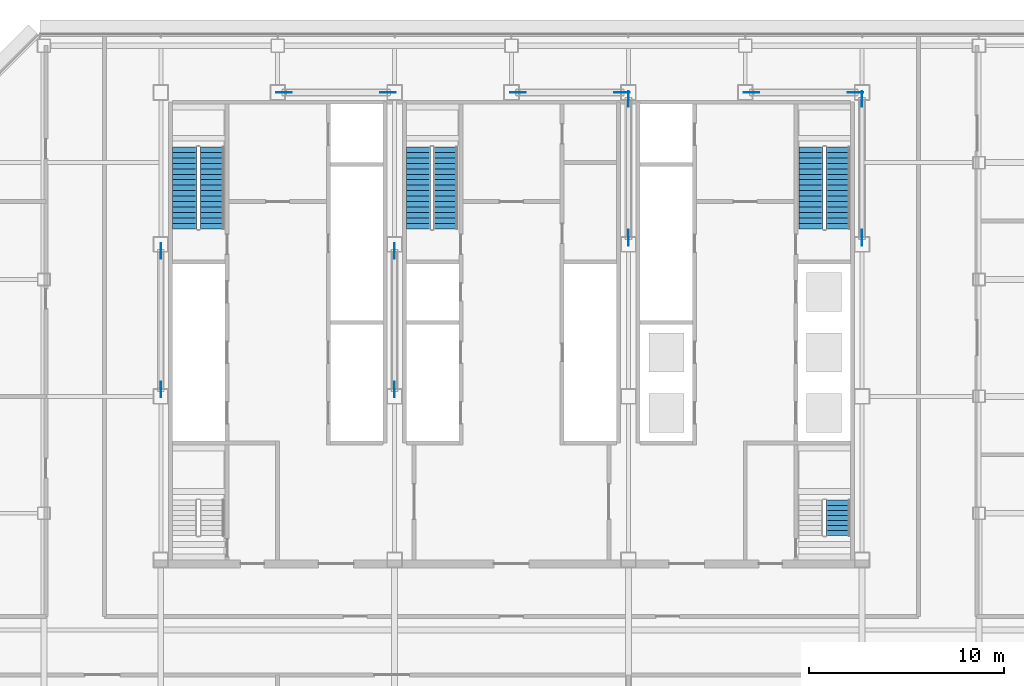
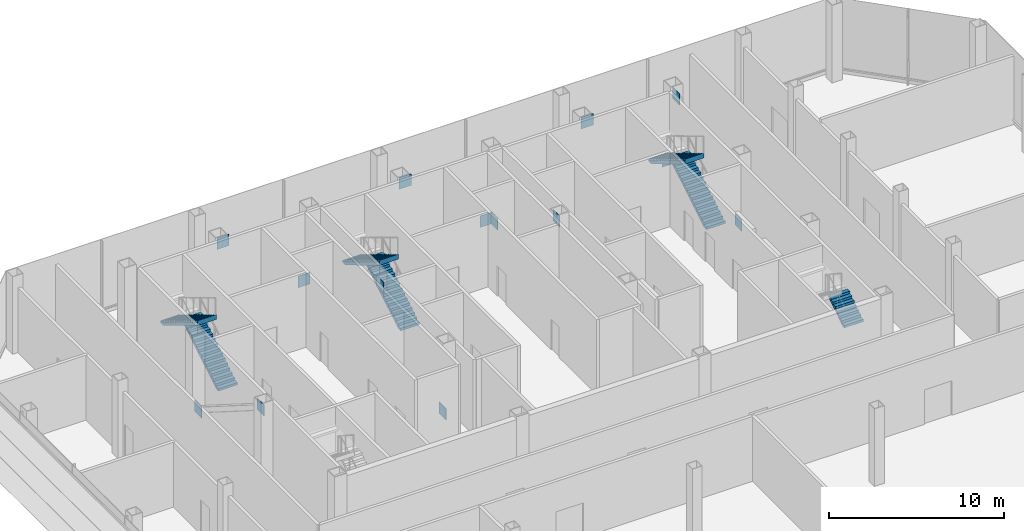
# One storey, part 20 of 24: 14 discrete accessories, 7 stair flights, 4 elements without a shape of their own.
"""IFC4 building model written with IfcOpenShell, lengths in metres."""

from ifc_helpers import new_model, si_unit, direction, frame, origin, origin_2d, place, context, subcontext, project, spatial, polyline, rectangle, outline, extrude, material, layer, layer_set, type_object, element, aggregate, save


model = new_model("IFC4")

# Units and contexts
model_context = context("Model", 3, precision=1e-05, world=origin(), true_north=direction((0.0, 1.0)))
body_context = subcontext(model_context, "Body", "Model", "MODEL_VIEW")
ifc_project = project(units=[si_unit("LENGTHUNIT", "METRE"), si_unit("AREAUNIT", "SQUARE_METRE"), si_unit("VOLUMEUNIT", "CUBIC_METRE"), si_unit("PLANEANGLEUNIT", "RADIAN"), si_unit("MASSUNIT", "GRAM", prefix="KILO")], contexts=[model_context])

# Site, building, storey
site_placement = place(None, origin())
site = spatial("IfcSite", under=ifc_project, at=site_placement, CompositionType="ELEMENT")
building_placement = place(site_placement, origin())
building = spatial("IfcBuilding", under=site, at=building_placement, Name="Sorahane Residences", CompositionType="ELEMENT")
storey_placement = place(building_placement, frame((0.0, 0.0, 161.800048828125)))
storey = spatial("IfcBuildingStorey", under=building, at=storey_placement, Name="L37", CompositionType="ELEMENT", Elevation=161.800048828125)

# Stair, stair flights
ifc_material_1 = material(Name="Concrete C40", Category="concrete")
stair_type = type_object("IfcStairType", Name="Dog-leg stair 1250 Concrete C40", PredefinedType="HALF_TURN_STAIR", material=ifc_material_1)
stair_1_placement = place(storey_placement, origin())
stair_1 = element("IfcStair", 1, at=stair_1_placement, inside=storey, type_object=stair_type, Name="L37 Stair S1", PredefinedType="HALF_TURN_STAIR")
ifc_material_2 = material(Name="Concrete C40", Category="concrete")
stair_flight_type = type_object("IfcStairFlightType", Name="Stair flight 1250 Concrete C40", PredefinedType="STRAIGHT", material=ifc_material_2)
stair_flight_1_placement = place(storey_placement, frame((8.625, 38.60009765625, 0.0), z_axis=(0.0, 0.0, 1.0), x_axis=(0.0, 1.0, 0.0)))
stair_flight_1 = element("IfcStairFlight", 2, at=stair_flight_1_placement, type_object=stair_flight_type, Name="S1 flight 1", NumberOfRisers=16, NumberOfTreads=15, PredefinedType="STRAIGHT", RiserHeight=0.16875, TreadLength=0.28, context=body_context, shape_type="SweptSolid", body=[
    extrude(outline(polyline([(-0.00146484375, 0.0), (-0.00146484375, 0.168701171875), (0.0, 0.168701171875), (0.280029296875, 0.168701171875), (0.280029296875, 0.33740234375), (0.56005859375, 0.33740234375), (0.56005859375, 0.50634765625), (0.840087890625, 0.50634765625), (0.840087890625, 0.675048828125), (1.1201171875, 0.675048828125), (1.1201171875, 0.84375), (1.39990234375, 0.84375), (1.39990234375, 1.012451171875), (1.679931640625, 1.012451171875), (1.679931640625, 1.18115234375), (1.9599609375, 1.18115234375), (1.9599609375, 1.35009765625), (2.239990234375, 1.35009765625), (2.239990234375, 1.518798828125), (2.52001953125, 1.518798828125), (2.52001953125, 1.6875), (2.800048828125, 1.6875), (2.800048828125, 1.856201171875), (3.080078125, 1.856201171875), (3.080078125, 2.02490234375), (3.360107421875, 2.02490234375), (3.360107421875, 2.19384765625), (3.639892578125, 2.19384765625), (3.639892578125, 2.362548828125), (3.919921875, 2.362548828125), (3.919921875, 2.53125), (4.199951171875, 2.53125), (4.199951171875, 2.699951171875), (4.199951171875, 2.356201171875), (3.969970703125, 2.217529296875), (3.739990234375, 2.0791015625), (3.510009765625, 1.9404296875), (3.280029296875, 1.8017578125), (3.050048828125, 1.663330078125), (2.820068359375, 1.524658203125), (2.590087890625, 1.385986328125), (2.360107421875, 1.247314453125), (2.130126953125, 1.10888671875), (1.900146484375, 0.97021484375), (1.670166015625, 0.83154296875), (1.440185546875, 0.693115234375), (1.210205078125, 0.554443359375), (0.980224609375, 0.415771484375), (0.750244140625, 0.277099609375), (0.520263671875, 0.138671875), (0.29052734375, 0.0), (-0.00146484375, 0.0)])), frame((0.0, 0.625, 0.0), z_axis=(0.0, -1.0, 0.0), x_axis=(1.0, 0.0, 0.0)), (0.0, 0.0, 1.0), 1.25),
])
stair_flight_2_placement = place(storey_placement, frame((7.22509765625, 42.800048828125, 2.699951171875), z_axis=(0.0, 0.0, 1.0), x_axis=(0.0, -1.0, 0.0)))
stair_flight_2 = element("IfcStairFlight", 3, at=stair_flight_2_placement, type_object=stair_flight_type, Name="S1 flight 2", NumberOfRisers=16, NumberOfTreads=15, PredefinedType="STRAIGHT", RiserHeight=0.16875, TreadLength=0.28, context=body_context, shape_type="SweptSolid", body=[
    extrude(outline(polyline([(0.0, 0.0), (0.0, 0.168701171875), (0.280029296875, 0.168701171875), (0.280029296875, 0.33740234375), (0.56005859375, 0.33740234375), (0.56005859375, 0.50634765625), (0.840087890625, 0.50634765625), (0.840087890625, 0.675048828125), (1.1201171875, 0.675048828125), (1.1201171875, 0.84375), (1.39990234375, 0.84375), (1.39990234375, 1.012451171875), (1.679931640625, 1.012451171875), (1.679931640625, 1.18115234375), (1.9599609375, 1.18115234375), (1.9599609375, 1.35009765625), (2.239990234375, 1.35009765625), (2.239990234375, 1.518798828125), (2.52001953125, 1.518798828125), (2.52001953125, 1.6875), (2.800048828125, 1.6875), (2.800048828125, 1.856201171875), (3.080078125, 1.856201171875), (3.080078125, 2.02490234375), (3.360107421875, 2.02490234375), (3.360107421875, 2.19384765625), (3.639892578125, 2.19384765625), (3.639892578125, 2.362548828125), (3.919921875, 2.362548828125), (3.919921875, 2.53125), (4.199951171875, 2.53125), (4.199951171875, 2.699951171875), (4.201416015625, 2.699951171875), (4.201416015625, 2.356201171875), (3.971435546875, 2.217529296875), (3.741455078125, 2.0791015625), (3.51123046875, 1.9404296875), (3.28125, 1.8017578125), (3.05126953125, 1.663330078125), (2.821044921875, 1.524658203125), (2.591064453125, 1.385986328125), (2.361083984375, 1.247314453125), (2.130859375, 1.10888671875), (1.90087890625, 0.97021484375), (1.6708984375, 0.83154296875), (1.440673828125, 0.693115234375), (1.210693359375, 0.554443359375), (0.980712890625, 0.415771484375), (0.75048828125, 0.277099609375), (0.5205078125, 0.138671875), (0.29052734375, 0.0), (0.0, 0.0)])), frame((0.0, 0.625, 0.0), z_axis=(0.0, -1.0, 0.0), x_axis=(1.0, 0.0, 0.0)), (0.0, 0.0, 1.0), 1.25),
])
aggregate(stair_1, [stair_flight_1, stair_flight_2])

stair_2_placement = place(storey_placement, origin())
stair_2 = element("IfcStair", 4, at=stair_2_placement, inside=storey, type_object=stair_type, Name="L37 Stair S2", PredefinedType="HALF_TURN_STAIR")
stair_flight_3_placement = place(storey_placement, frame((40.77490234375, 38.60009765625, 0.0), z_axis=(0.0, 0.0, 1.0), x_axis=(0.0, 1.0, 0.0)))
stair_flight_3 = element("IfcStairFlight", 5, at=stair_flight_3_placement, type_object=stair_flight_type, Name="S2 flight 1", NumberOfRisers=16, NumberOfTreads=15, PredefinedType="STRAIGHT", RiserHeight=0.16875, TreadLength=0.28, context=body_context, shape_type="SweptSolid", body=[
    extrude(outline(polyline([(-0.00146484375, 0.0), (-0.00146484375, 0.168701171875), (0.0, 0.168701171875), (0.280029296875, 0.168701171875), (0.280029296875, 0.33740234375), (0.56005859375, 0.33740234375), (0.56005859375, 0.50634765625), (0.840087890625, 0.50634765625), (0.840087890625, 0.675048828125), (1.1201171875, 0.675048828125), (1.1201171875, 0.84375), (1.39990234375, 0.84375), (1.39990234375, 1.012451171875), (1.679931640625, 1.012451171875), (1.679931640625, 1.18115234375), (1.9599609375, 1.18115234375), (1.9599609375, 1.35009765625), (2.239990234375, 1.35009765625), (2.239990234375, 1.518798828125), (2.52001953125, 1.518798828125), (2.52001953125, 1.6875), (2.800048828125, 1.6875), (2.800048828125, 1.856201171875), (3.080078125, 1.856201171875), (3.080078125, 2.02490234375), (3.360107421875, 2.02490234375), (3.360107421875, 2.19384765625), (3.639892578125, 2.19384765625), (3.639892578125, 2.362548828125), (3.919921875, 2.362548828125), (3.919921875, 2.53125), (4.199951171875, 2.53125), (4.199951171875, 2.699951171875), (4.199951171875, 2.356201171875), (3.969970703125, 2.217529296875), (3.739990234375, 2.0791015625), (3.510009765625, 1.9404296875), (3.280029296875, 1.8017578125), (3.050048828125, 1.663330078125), (2.820068359375, 1.524658203125), (2.590087890625, 1.385986328125), (2.360107421875, 1.247314453125), (2.130126953125, 1.10888671875), (1.900146484375, 0.97021484375), (1.670166015625, 0.83154296875), (1.440185546875, 0.693115234375), (1.210205078125, 0.554443359375), (0.980224609375, 0.415771484375), (0.750244140625, 0.277099609375), (0.520263671875, 0.138671875), (0.29052734375, 0.0), (-0.00146484375, 0.0)])), frame((0.0, 0.625, 0.0), z_axis=(0.0, -1.0, 0.0), x_axis=(1.0, 0.0, 0.0)), (0.0, 0.0, 1.0), 1.25),
])
stair_flight_4_placement = place(storey_placement, frame((39.375, 42.800048828125, 2.699951171875), z_axis=(0.0, 0.0, 1.0), x_axis=(0.0, -1.0, 0.0)))
stair_flight_4 = element("IfcStairFlight", 6, at=stair_flight_4_placement, type_object=stair_flight_type, Name="S2 flight 2", NumberOfRisers=16, NumberOfTreads=15, PredefinedType="STRAIGHT", RiserHeight=0.16875, TreadLength=0.28, context=body_context, shape_type="SweptSolid", body=[
    extrude(outline(polyline([(0.0, 0.0), (0.0, 0.168701171875), (0.280029296875, 0.168701171875), (0.280029296875, 0.33740234375), (0.56005859375, 0.33740234375), (0.56005859375, 0.50634765625), (0.840087890625, 0.50634765625), (0.840087890625, 0.675048828125), (1.1201171875, 0.675048828125), (1.1201171875, 0.84375), (1.39990234375, 0.84375), (1.39990234375, 1.012451171875), (1.679931640625, 1.012451171875), (1.679931640625, 1.18115234375), (1.9599609375, 1.18115234375), (1.9599609375, 1.35009765625), (2.239990234375, 1.35009765625), (2.239990234375, 1.518798828125), (2.52001953125, 1.518798828125), (2.52001953125, 1.6875), (2.800048828125, 1.6875), (2.800048828125, 1.856201171875), (3.080078125, 1.856201171875), (3.080078125, 2.02490234375), (3.360107421875, 2.02490234375), (3.360107421875, 2.19384765625), (3.639892578125, 2.19384765625), (3.639892578125, 2.362548828125), (3.919921875, 2.362548828125), (3.919921875, 2.53125), (4.199951171875, 2.53125), (4.199951171875, 2.699951171875), (4.201416015625, 2.699951171875), (4.201416015625, 2.356201171875), (3.971435546875, 2.217529296875), (3.741455078125, 2.0791015625), (3.51123046875, 1.9404296875), (3.28125, 1.8017578125), (3.05126953125, 1.663330078125), (2.821044921875, 1.524658203125), (2.591064453125, 1.385986328125), (2.361083984375, 1.247314453125), (2.130859375, 1.10888671875), (1.90087890625, 0.97021484375), (1.6708984375, 0.83154296875), (1.440673828125, 0.693115234375), (1.210693359375, 0.554443359375), (0.980712890625, 0.415771484375), (0.75048828125, 0.277099609375), (0.5205078125, 0.138671875), (0.29052734375, 0.0), (0.0, 0.0)])), frame((0.0, 0.625, 0.0), z_axis=(0.0, -1.0, 0.0), x_axis=(1.0, 0.0, 0.0)), (0.0, 0.0, 1.0), 1.25),
])
aggregate(stair_2, [stair_flight_3, stair_flight_4])

stair_3_placement = place(storey_placement, origin())
stair_3 = element("IfcStair", 7, at=stair_3_placement, inside=storey, type_object=stair_type, Name="L37 Stair S3", PredefinedType="HALF_TURN_STAIR")
stair_flight_5_placement = place(storey_placement, frame((20.625, 38.60009765625, 0.0), z_axis=(0.0, 0.0, 1.0), x_axis=(0.0, 1.0, 0.0)))
stair_flight_5 = element("IfcStairFlight", 8, at=stair_flight_5_placement, type_object=stair_flight_type, Name="S3 flight 1", NumberOfRisers=16, NumberOfTreads=15, PredefinedType="STRAIGHT", RiserHeight=0.16875, TreadLength=0.28, context=body_context, shape_type="SweptSolid", body=[
    extrude(outline(polyline([(-0.00146484375, 0.0), (-0.00146484375, 0.168701171875), (0.0, 0.168701171875), (0.280029296875, 0.168701171875), (0.280029296875, 0.33740234375), (0.56005859375, 0.33740234375), (0.56005859375, 0.50634765625), (0.840087890625, 0.50634765625), (0.840087890625, 0.675048828125), (1.1201171875, 0.675048828125), (1.1201171875, 0.84375), (1.39990234375, 0.84375), (1.39990234375, 1.012451171875), (1.679931640625, 1.012451171875), (1.679931640625, 1.18115234375), (1.9599609375, 1.18115234375), (1.9599609375, 1.35009765625), (2.239990234375, 1.35009765625), (2.239990234375, 1.518798828125), (2.52001953125, 1.518798828125), (2.52001953125, 1.6875), (2.800048828125, 1.6875), (2.800048828125, 1.856201171875), (3.080078125, 1.856201171875), (3.080078125, 2.02490234375), (3.360107421875, 2.02490234375), (3.360107421875, 2.19384765625), (3.639892578125, 2.19384765625), (3.639892578125, 2.362548828125), (3.919921875, 2.362548828125), (3.919921875, 2.53125), (4.199951171875, 2.53125), (4.199951171875, 2.699951171875), (4.199951171875, 2.356201171875), (3.969970703125, 2.217529296875), (3.739990234375, 2.0791015625), (3.510009765625, 1.9404296875), (3.280029296875, 1.8017578125), (3.050048828125, 1.663330078125), (2.820068359375, 1.524658203125), (2.590087890625, 1.385986328125), (2.360107421875, 1.247314453125), (2.130126953125, 1.10888671875), (1.900146484375, 0.97021484375), (1.670166015625, 0.83154296875), (1.440185546875, 0.693115234375), (1.210205078125, 0.554443359375), (0.980224609375, 0.415771484375), (0.750244140625, 0.277099609375), (0.520263671875, 0.138671875), (0.29052734375, 0.0), (-0.00146484375, 0.0)])), frame((0.0, 0.625, 0.0), z_axis=(0.0, -1.0, 0.0), x_axis=(1.0, 0.0, 0.0)), (0.0, 0.0, 1.0), 1.25),
])
stair_flight_6_placement = place(storey_placement, frame((19.22509765625, 42.800048828125, 2.699951171875), z_axis=(0.0, 0.0, 1.0), x_axis=(0.0, -1.0, 0.0)))
stair_flight_6 = element("IfcStairFlight", 9, at=stair_flight_6_placement, type_object=stair_flight_type, Name="S3 flight 2", NumberOfRisers=16, NumberOfTreads=15, PredefinedType="STRAIGHT", RiserHeight=0.16875, TreadLength=0.28, context=body_context, shape_type="SweptSolid", body=[
    extrude(outline(polyline([(0.0, 0.0), (0.0, 0.168701171875), (0.280029296875, 0.168701171875), (0.280029296875, 0.33740234375), (0.56005859375, 0.33740234375), (0.56005859375, 0.50634765625), (0.840087890625, 0.50634765625), (0.840087890625, 0.675048828125), (1.1201171875, 0.675048828125), (1.1201171875, 0.84375), (1.39990234375, 0.84375), (1.39990234375, 1.012451171875), (1.679931640625, 1.012451171875), (1.679931640625, 1.18115234375), (1.9599609375, 1.18115234375), (1.9599609375, 1.35009765625), (2.239990234375, 1.35009765625), (2.239990234375, 1.518798828125), (2.52001953125, 1.518798828125), (2.52001953125, 1.6875), (2.800048828125, 1.6875), (2.800048828125, 1.856201171875), (3.080078125, 1.856201171875), (3.080078125, 2.02490234375), (3.360107421875, 2.02490234375), (3.360107421875, 2.19384765625), (3.639892578125, 2.19384765625), (3.639892578125, 2.362548828125), (3.919921875, 2.362548828125), (3.919921875, 2.53125), (4.199951171875, 2.53125), (4.199951171875, 2.699951171875), (4.201416015625, 2.699951171875), (4.201416015625, 2.356201171875), (3.971435546875, 2.217529296875), (3.741455078125, 2.0791015625), (3.51123046875, 1.9404296875), (3.28125, 1.8017578125), (3.05126953125, 1.663330078125), (2.821044921875, 1.524658203125), (2.591064453125, 1.385986328125), (2.361083984375, 1.247314453125), (2.130859375, 1.10888671875), (1.90087890625, 0.97021484375), (1.6708984375, 0.83154296875), (1.440673828125, 0.693115234375), (1.210693359375, 0.554443359375), (0.980712890625, 0.415771484375), (0.75048828125, 0.277099609375), (0.5205078125, 0.138671875), (0.29052734375, 0.0), (0.0, 0.0)])), frame((0.0, 0.625, 0.0), z_axis=(0.0, -1.0, 0.0), x_axis=(1.0, 0.0, 0.0)), (0.0, 0.0, 1.0), 1.25),
])
aggregate(stair_3, [stair_flight_5, stair_flight_6])

# Stair, stair flight
stair_4_placement = place(storey_placement, origin())
stair_4 = element("IfcStair", 10, at=stair_4_placement, inside=storey, type_object=stair_type, Name="L37 Stair S5", PredefinedType="HALF_TURN_STAIR")
stair_flight_7_placement = place(storey_placement, frame((40.77490234375, 22.85009765625, 2.699951171875), z_axis=(0.0, 0.0, 1.0), x_axis=(0.0, 1.0, 0.0)))
stair_flight_7 = element("IfcStairFlight", 11, at=stair_flight_7_placement, type_object=stair_flight_type, Name="S5 flight 3", NumberOfRisers=8, NumberOfTreads=7, PredefinedType="STRAIGHT", RiserHeight=0.16875, TreadLength=0.26, context=body_context, shape_type="SweptSolid", body=[
    extrude(outline(polyline([(0.0, 0.0), (0.0, 0.002197265625), (0.0, 0.004150390625), (0.0, 0.00634765625), (0.0, 0.00830078125), (0.0, 0.010498046875), (0.0, 0.012451171875), (0.0, 0.0146484375), (0.0, 0.0166015625), (0.0, 0.018798828125), (0.0, 0.020751953125), (0.0, 0.02294921875), (0.0, 0.02490234375), (0.0, 0.027099609375), (0.0, 0.029052734375), (0.0, 0.03125), (0.0, 0.033447265625), (0.0, 0.035400390625), (0.0, 0.03759765625), (0.0, 0.03955078125), (0.0, 0.041748046875), (0.0, 0.043701171875), (0.0, 0.0458984375), (0.0, 0.0478515625), (0.0, 0.050048828125), (0.0, 0.052001953125), (0.0, 0.05419921875), (0.0, 0.05615234375), (0.0, 0.058349609375), (0.0, 0.060302734375), (0.0, 0.0625), (0.0, 0.064697265625), (0.0, 0.066650390625), (0.0, 0.06884765625), (0.0, 0.07080078125), (0.0, 0.072998046875), (0.0, 0.074951171875), (0.0, 0.0771484375), (0.0, 0.0791015625), (0.0, 0.081298828125), (0.0, 0.083251953125), (0.0, 0.08544921875), (0.0, 0.08740234375), (0.0, 0.089599609375), (0.0, 0.091552734375), (0.0, 0.09375), (0.0, 0.095947265625), (0.0, 0.097900390625), (0.0, 0.10009765625), (0.0, 0.10205078125), (0.0, 0.104248046875), (0.0, 0.106201171875), (0.0, 0.1083984375), (0.0, 0.1103515625), (0.0, 0.112548828125), (0.0, 0.114501953125), (0.0, 0.11669921875), (0.0, 0.11865234375), (0.0, 0.120849609375), (0.0, 0.122802734375), (0.0, 0.125), (0.0, 0.127197265625), (0.0, 0.129150390625), (0.0, 0.13134765625), (0.0, 0.13330078125), (0.0, 0.135498046875), (0.0, 0.137451171875), (0.0, 0.1396484375), (0.0, 0.1416015625), (0.0, 0.143798828125), (0.0, 0.145751953125), (0.0, 0.14794921875), (0.0, 0.14990234375), (0.0, 0.152099609375), (0.0, 0.154052734375), (0.0, 0.15625), (0.0, 0.158447265625), (0.0, 0.160400390625), (0.0, 0.16259765625), (0.0, 0.16455078125), (0.0, 0.166748046875), (0.0, 0.168701171875), (0.260009765625, 0.168701171875), (0.260009765625, 0.33740234375), (0.52001953125, 0.33740234375), (0.52001953125, 0.50634765625), (0.780029296875, 0.50634765625), (0.780029296875, 0.675048828125), (1.0400390625, 0.675048828125), (1.0400390625, 0.84375), (1.300048828125, 0.84375), (1.300048828125, 1.012451171875), (1.56005859375, 1.012451171875), (1.56005859375, 1.18115234375), (1.820068359375, 1.18115234375), (1.820068359375, 1.35009765625), (1.820068359375, 1.34619140625), (1.820068359375, 1.34228515625), (1.820068359375, 1.33837890625), (1.820068359375, 1.334716796875), (1.820068359375, 1.330810546875), (1.820068359375, 1.326904296875), (1.820068359375, 1.322998046875), (1.820068359375, 1.319091796875), (1.820068359375, 1.3154296875), (1.820068359375, 1.3115234375), (1.820068359375, 1.3076171875), (1.820068359375, 1.3037109375), (1.820068359375, 1.300048828125), (1.820068359375, 1.296142578125), (1.820068359375, 1.292236328125), (1.820068359375, 1.288330078125), (1.820068359375, 1.284423828125), (1.820068359375, 1.28076171875), (1.820068359375, 1.27685546875), (1.820068359375, 1.27294921875), (1.820068359375, 1.26904296875), (1.820068359375, 1.265380859375), (1.820068359375, 1.261474609375), (1.820068359375, 1.257568359375), (1.820068359375, 1.253662109375), (1.820068359375, 1.249755859375), (1.820068359375, 1.24609375), (1.820068359375, 1.2421875), (1.820068359375, 1.23828125), (1.820068359375, 1.234375), (1.820068359375, 1.230712890625), (1.820068359375, 1.226806640625), (1.820068359375, 1.222900390625), (1.820068359375, 1.218994140625), (1.820068359375, 1.215087890625), (1.820068359375, 1.21142578125), (1.820068359375, 1.20751953125), (1.820068359375, 1.20361328125), (1.820068359375, 1.19970703125), (1.820068359375, 1.196044921875), (1.820068359375, 1.192138671875), (1.820068359375, 1.188232421875), (1.820068359375, 1.184326171875), (1.820068359375, 1.1806640625), (1.820068359375, 1.1767578125), (1.820068359375, 1.1728515625), (1.820068359375, 1.1689453125), (1.820068359375, 1.1650390625), (1.820068359375, 1.161376953125), (1.820068359375, 1.157470703125), (1.820068359375, 1.153564453125), (1.820068359375, 1.149658203125), (1.820068359375, 1.14599609375), (1.820068359375, 1.14208984375), (1.820068359375, 1.13818359375), (1.820068359375, 1.13427734375), (1.820068359375, 1.13037109375), (1.820068359375, 1.126708984375), (1.820068359375, 1.122802734375), (1.820068359375, 1.118896484375), (1.820068359375, 1.114990234375), (1.820068359375, 1.111328125), (1.820068359375, 1.107421875), (1.820068359375, 1.103515625), (1.820068359375, 1.099609375), (1.820068359375, 1.095703125), (1.820068359375, 1.092041015625), (1.820068359375, 1.088134765625), (1.820068359375, 1.084228515625), (1.820068359375, 1.080322265625), (1.820068359375, 1.07666015625), (1.820068359375, 1.07275390625), (1.820068359375, 1.06884765625), (1.820068359375, 1.06494140625), (1.820068359375, 1.061279296875), (1.820068359375, 1.057373046875), (1.820068359375, 1.053466796875), (1.820068359375, 1.049560546875), (1.820068359375, 1.045654296875), (1.820068359375, 1.0419921875), (1.820068359375, 1.0380859375), (1.6201171875, 0.908203125), (1.420166015625, 0.778564453125), (1.22021484375, 0.648681640625), (1.020263671875, 0.51904296875), (0.8203125, 0.38916015625), (0.620361328125, 0.259521484375), (0.420654296875, 0.129638671875), (0.220703125, 0.0), (0.0, 0.0)])), frame((0.0, 0.625, 0.0), z_axis=(0.0, -1.0, 0.0), x_axis=(1.0, 0.0, 0.0)), (0.0, 0.0, 1.0), 1.25),
])
aggregate(stair_4, [stair_flight_7])

# Discrete accessories
ifc_material_3 = material(Name="Steel Q355B", Category="steel")
ifc_layer = layer(ifc_material_3, 0.02490234375)
ifc_layer_set = layer_set([ifc_layer], Name="Node plate Steel Q355B 25")
discrete_accessory_type = type_object("IfcDiscreteAccessoryType", Name="Node plate Steel Q355B 25", PredefinedType="BRACKET", material=ifc_layer_set)
for number, where, z_axis, x_axis, name in (
    (12, (6.0, 37.4560546875, -0.26025390625), (0.0, 0.0, 1.0), (0.0, 1.0, 0.0), "Node plate L37 br"),
    (13, (6.0, 30.343994140625, 4.23046875), (0.0, 0.0, 1.0), (0.0, 1.0, 0.0), "Node plate L37 br"),
    (14, (18.0, 30.343994140625, -0.26025390625), (0.0, 0.0, 1.0), (0.0, 1.0, 0.0), "Node plate L37 br"),
    (15, (18.0, 37.4560546875, 4.23046875), (0.0, 0.0, 1.0), (0.0, 1.0, 0.0), "Node plate L37 br"),
    (16, (30.0, 45.256103515625, -0.26025390625), (0.0, 0.0, 1.0), (0.0, 1.0, 0.0), "Node plate L37 br"),
    (17, (30.0, 38.143798828125, 4.23046875), (0.0, 0.0, 1.0), (0.0, 1.0, 0.0), "Node plate L37 br"),
    (18, (42.0, 38.143798828125, -0.26025390625), (0.0, 0.0, 1.0), (0.0, 1.0, 0.0), "Node plate L37 br"),
    (19, (42.0, 45.256103515625, 4.23046875), (0.0, 0.0, 1.0), (0.0, 1.0, 0.0), "Node plate L37 br"),
    (20, (17.66796875, 45.60009765625, -0.28271484375), (0.0, 0.0, 1.0), (1.0, 0.0, 0.0), "Node plate L37 br"),
    (21, (29.66796875, 45.60009765625, -0.28271484375), (0.0, 0.0, 1.0), (1.0, 0.0, 0.0), "Node plate L37 br"),
    (22, (41.66796875, 45.60009765625, -0.28271484375), (0.0, 0.0, 1.0), (1.0, 0.0, 0.0), "Node plate L37 br"),
    (23, (12.33203125, 45.60009765625, 4.2529296875), (0.0, 0.0, 1.0), (1.0, 0.0, 0.0), "Node plate L37 br"),
    (24, (24.33203125, 45.60009765625, 4.2529296875), (0.0, 0.0, 1.0), (1.0, 0.0, 0.0), "Node plate L37 br"),
    (25, (36.33203125, 45.60009765625, 4.2529296875), (0.0, 0.0, 1.0), (1.0, 0.0, 0.0), "Node plate L37 br"),
):
    element("IfcDiscreteAccessory", number, at=place(storey_placement, frame(where, z_axis=z_axis, x_axis=x_axis)), inside=storey, type_object=discrete_accessory_type, Name=name, PredefinedType="BRACKET", context=body_context, shape_type="SweptSolid", body=[
        extrude(rectangle(XDim=0.800048828125, YDim=0.02490234375, at=origin_2d()), origin(), (0.0, 0.0, 1.0), 0.800048828125),
    ])

save(model, "model.ifc")
